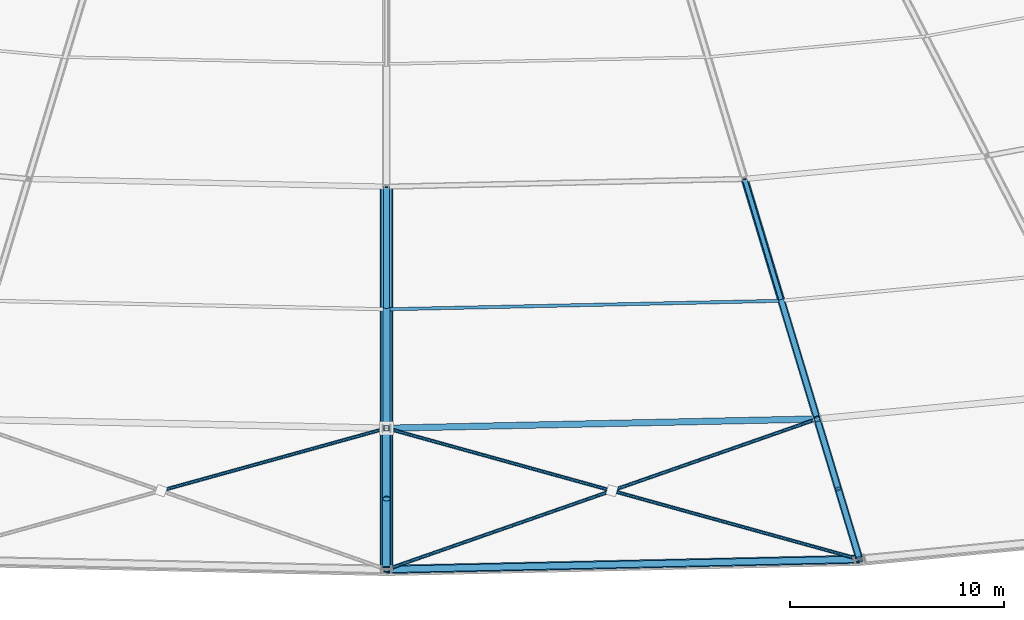
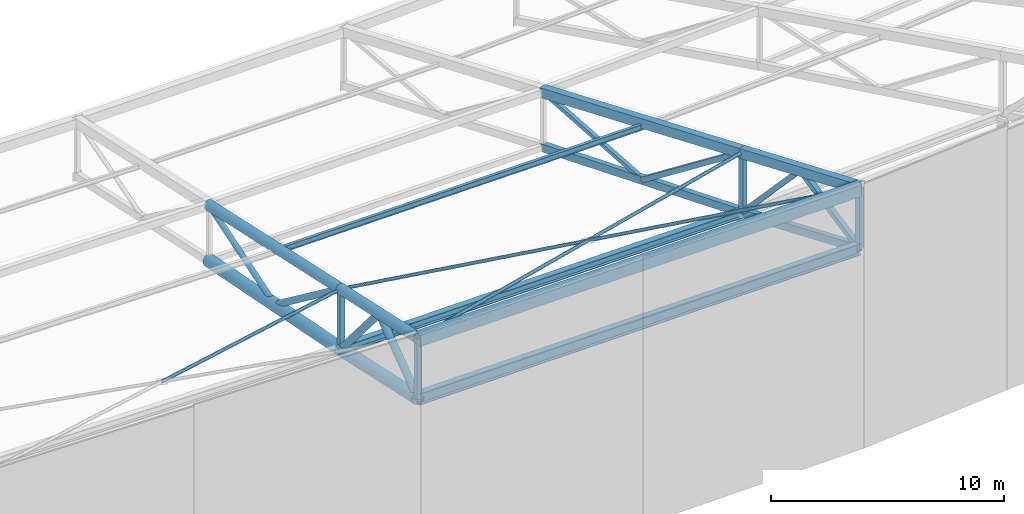
# One storey, part 33 of 143: 17 members, 11 beams.
"""IFC4 building model written with IfcOpenShell, lengths in metres."""

from ifc_helpers import new_model, si_unit, direction, frame, origin, origin_2d, place, context, subcontext, project, spatial, hollow_rectangle, hollow_circle, i_section, extrude, material, material_profile, profile_set, type_object, element, save


model = new_model("IFC4")

# Units and contexts
model_context = context("Model", 3, precision=1e-05, world=origin(), true_north=direction((0.0, 1.0)))
body_context = subcontext(model_context, "Body", "Model", "MODEL_VIEW")
ifc_project = project(units=[si_unit("LENGTHUNIT", "METRE"), si_unit("AREAUNIT", "SQUARE_METRE"), si_unit("VOLUMEUNIT", "CUBIC_METRE"), si_unit("PLANEANGLEUNIT", "RADIAN"), si_unit("MASSUNIT", "GRAM", prefix="KILO")], contexts=[model_context])

# Site, building, storey
site_placement = place(None, origin())
site = spatial("IfcSite", under=ifc_project, at=site_placement, CompositionType="ELEMENT")
building_placement = place(site_placement, origin())
building = spatial("IfcBuilding", under=site, at=building_placement, Name="Mphavela Belvedere Stadium", CompositionType="ELEMENT")
storey_placement = place(building_placement, frame((0.0, 0.0, 28.800048828125)))
storey = spatial("IfcBuildingStorey", under=building, at=storey_placement, Name="RF", CompositionType="ELEMENT", Elevation=28.800048828125)

# Beams
ifc_material_1 = material(Name="Steel S355", Category="steel")
ifc_material_profile_1 = material_profile(ifc_material_1, hollow_rectangle(XDim=0.39990234375, YDim=0.60009765625, WallThickness=0.02001953125, at=origin_2d()), Name="RHS 600x400x20")
ifc_profile_set_1 = profile_set([ifc_material_profile_1], Name="Steel S355")
beam_type_1 = type_object("IfcBeamType", Name="BM-RING-OUT", PredefinedType="BEAM", material=ifc_profile_set_1)
beam_1_placement = place(storey_placement, frame((115.0, 13.330078125, 13.60595703125), z_axis=(0.999741024299, 0.021522118296, -0.007394779107), x_axis=(-0.021522706765, 0.999768359718, 0.0)))
element("IfcBeam", 1, at=beam_1_placement, inside=storey, type_object=beam_type_1, Name="Perimeter compression ring beam RB-OUT-37", PredefinedType="BEAM", context=body_context, shape_type="SweptSolid", body=[
    extrude(hollow_rectangle(XDim=0.39990234375, YDim=0.60009765625, WallThickness=0.02001953125, at=origin_2d()), origin(), (0.0, 0.0, 1.0), 22.1201171875),
])
ifc_material_2 = material(Name="Steel S355", Category="steel")
ifc_material_profile_2 = material_profile(ifc_material_2, i_section(OverallWidth=0.300048828125, OverallDepth=0.39990234375, WebThickness=0.013427734375, FlangeThickness=0.02392578125, at=origin_2d()), Name="HEB 400")
ifc_profile_set_2 = profile_set([ifc_material_profile_2], Name="Steel S355")
beam_type_2 = type_object("IfcBeamType", Name="BM-STEEL-HEB400", PredefinedType="BEAM", material=ifc_profile_set_2)
beam_2_placement = place(storey_placement, frame((115.0, 19.9326171875, 9.071044921875), z_axis=(0.999741088548, 0.021518971093, -0.007395252037), x_axis=(-0.02151955955, 0.999768427465, 0.0)))
element("IfcBeam", 2, at=beam_2_placement, inside=storey, type_object=beam_type_2, Name="Roof bottom-chord tie girder R3-37", PredefinedType="BEAM", context=body_context, shape_type="SweptSolid", body=[
    extrude(i_section(OverallWidth=0.300048828125, OverallDepth=0.39990234375, WebThickness=0.013427734375, FlangeThickness=0.02392578125, at=origin_2d()), origin(), (0.0, 0.0, 1.0), 20.137939453125),
])
ifc_material_3 = material(Name="Steel S355", Category="steel")
ifc_material_profile_3 = material_profile(ifc_material_3, i_section(OverallWidth=0.300048828125, OverallDepth=0.60009765625, WebThickness=0.015380859375, FlangeThickness=0.030029296875, at=origin_2d()), Name="HEB 600")
ifc_profile_set_3 = profile_set([ifc_material_profile_3], Name="Steel S355")
beam_type_3 = type_object("IfcBeamType", Name="BM-STEEL-HEB600", PredefinedType="BEAM", material=ifc_profile_set_3)
beam_3_placement = place(storey_placement, frame((115.0, 13.330078125, 10.510986328125), z_axis=(0.999741024299, 0.021522118296, -0.007394779107), x_axis=(-0.021522706765, 0.999768359718, 0.0)))
element("IfcBeam", 3, at=beam_3_placement, inside=storey, type_object=beam_type_3, Name="Roof bottom-chord tie girder R4-37", PredefinedType="BEAM", context=body_context, shape_type="SweptSolid", body=[
    extrude(i_section(OverallWidth=0.300048828125, OverallDepth=0.60009765625, WebThickness=0.015380859375, FlangeThickness=0.030029296875, at=origin_2d()), origin(), (0.0, 0.0, 1.0), 22.1201171875),
])
ifc_material_4 = material(Name="Steel S355", Category="steel")
ifc_material_profile_4 = material_profile(ifc_material_4, hollow_circle(Radius=0.304931640625, WallThickness=0.02490234375, at=origin_2d()), Name="CHS 610x25")
ifc_profile_set_4 = profile_set([ifc_material_profile_4], Name="Steel S355")
beam_type_4 = type_object("IfcBeamType", Name="BM-TRUSS-BC1", PredefinedType="BEAM", material=ifc_profile_set_4)
beam_4_placement = place(storey_placement, frame((115.0, 13.330078125, 10.510986328125), z_axis=(0.0, 0.977034636497, -0.213080546001), x_axis=(-1.0, 0.0, 0.0)))
element("IfcBeam", 4, at=beam_4_placement, inside=storey, type_object=beam_type_4, Name="Radial roof truss RT-37 bottom chord 1", PredefinedType="BEAM", context=body_context, shape_type="SweptSolid", body=[
    extrude(hollow_circle(Radius=0.304931640625, WallThickness=0.02490234375, at=origin_2d()), origin(), (0.0, 0.0, 1.0), 6.7578125),
])
beam_5_placement = place(storey_placement, frame((115.0, 19.9326171875, 9.071044921875), z_axis=(0.0, 0.98133934547, -0.192283876161), x_axis=(-1.0, 0.0, 0.0)))
element("IfcBeam", 5, at=beam_5_placement, inside=storey, type_object=beam_type_4, Name="Radial roof truss RT-37 bottom chord 2", PredefinedType="BEAM", context=body_context, shape_type="SweptSolid", body=[
    extrude(hollow_circle(Radius=0.304931640625, WallThickness=0.02490234375, at=origin_2d()), origin(), (0.0, 0.0, 1.0), 11.508544921875),
])
ifc_material_5 = material(Name="Steel S355", Category="steel")
ifc_material_profile_5 = material_profile(ifc_material_5, hollow_rectangle(XDim=0.25, YDim=0.39990234375, WallThickness=0.01611328125, at=origin_2d()), Name="RHS 400x250x16")
ifc_profile_set_5 = profile_set([ifc_material_profile_5], Name="Steel S355")
beam_type_5 = type_object("IfcBeamType", Name="BM-TRUSS-BC2", PredefinedType="BEAM", material=ifc_profile_set_5)
beam_6_placement = place(storey_placement, frame((137.114501953125, 13.80615234375, 10.347412109375), z_axis=(-0.283128197914, 0.937214679037, -0.203634645734), x_axis=(-0.95727245631, -0.28918755919, 0.0)))
element("IfcBeam", 6, at=beam_6_placement, inside=storey, type_object=beam_type_5, Name="Radial roof truss RT-38 bottom chord 1", PredefinedType="BEAM", context=body_context, shape_type="SweptSolid", body=[
    extrude(hollow_rectangle(XDim=0.25, YDim=0.39990234375, WallThickness=0.01611328125, at=origin_2d()), origin(), (0.0, 0.0, 1.0), 6.999267578125),
])
beam_7_placement = place(storey_placement, frame((135.1328125, 20.365966796875, 8.922119140625), z_axis=(-0.284329201853, 0.941007425446, -0.183471878578), x_axis=(-0.957256900703, -0.289239046564, 0.0)))
element("IfcBeam", 7, at=beam_7_placement, inside=storey, type_object=beam_type_5, Name="Radial roof truss RT-38 bottom chord 2", PredefinedType="BEAM", context=body_context, shape_type="SweptSolid", body=[
    extrude(hollow_rectangle(XDim=0.25, YDim=0.39990234375, WallThickness=0.01611328125, at=origin_2d()), origin(), (0.0, 0.0, 1.0), 11.924072265625),
])
ifc_material_6 = material(Name="Steel S355", Category="steel")
ifc_material_profile_6 = material_profile(ifc_material_6, hollow_circle(Radius=0.25390625, WallThickness=0.02490234375, at=origin_2d()), Name="CHS 508x25")
ifc_profile_set_6 = profile_set([ifc_material_profile_6], Name="Steel S355")
beam_type_6 = type_object("IfcBeamType", Name="BM-TRUSS-TC1", PredefinedType="BEAM", material=ifc_profile_set_6)
beam_8_placement = place(storey_placement, frame((115.0, 13.330078125, 13.660888671875), z_axis=(0.0, 0.977034636497, -0.213080546001), x_axis=(-1.0, 0.0, 0.0)))
element("IfcBeam", 8, at=beam_8_placement, inside=storey, type_object=beam_type_6, Name="Radial roof truss RT-37 top chord 1", PredefinedType="BEAM", context=body_context, shape_type="SweptSolid", body=[
    extrude(hollow_circle(Radius=0.25390625, WallThickness=0.02490234375, at=origin_2d()), origin(), (0.0, 0.0, 1.0), 6.7578125),
])
beam_9_placement = place(storey_placement, frame((115.0, 19.9326171875, 12.220947265625), z_axis=(0.0, 0.977037190739, -0.213068833744), x_axis=(-1.0, 0.0, 0.0)))
element("IfcBeam", 9, at=beam_9_placement, inside=storey, type_object=beam_type_6, Name="Radial roof truss RT-37 top chord 2", PredefinedType="BEAM", context=body_context, shape_type="SweptSolid", body=[
    extrude(hollow_circle(Radius=0.25390625, WallThickness=0.02490234375, at=origin_2d()), origin(), (0.0, 0.0, 1.0), 11.55908203125),
])
ifc_material_7 = material(Name="Steel S355", Category="steel")
ifc_material_profile_7 = material_profile(ifc_material_7, hollow_rectangle(XDim=0.35009765625, YDim=0.5, WallThickness=0.02001953125, at=origin_2d()), Name="RHS 500x350x20")
ifc_profile_set_7 = profile_set([ifc_material_profile_7], Name="Steel S355")
beam_type_7 = type_object("IfcBeamType", Name="BM-TRUSS-TC2", PredefinedType="BEAM", material=ifc_profile_set_7)
beam_10_placement = place(storey_placement, frame((137.114501953125, 13.80615234375, 13.497314453125), z_axis=(-0.283130208811, 0.937221335535, -0.203601210894), x_axis=(-0.95727245631, -0.28918755919, 0.0)))
element("IfcBeam", 10, at=beam_10_placement, inside=storey, type_object=beam_type_7, Name="Radial roof truss RT-38 top chord 1", PredefinedType="BEAM", context=body_context, shape_type="SweptSolid", body=[
    extrude(hollow_rectangle(XDim=0.35009765625, YDim=0.5, WallThickness=0.02001953125, at=origin_2d()), origin(), (0.0, 0.0, 1.0), 6.999267578125),
])
beam_11_placement = place(storey_placement, frame((135.1328125, 20.365966796875, 12.072265625), z_axis=(-0.283178825556, 0.937200174447, -0.203631003961), x_axis=(-0.957256900703, -0.289239046564, 0.0)))
element("IfcBeam", 11, at=beam_11_placement, inside=storey, type_object=beam_type_7, Name="Radial roof truss RT-38 top chord 2", PredefinedType="BEAM", context=body_context, shape_type="SweptSolid", body=[
    extrude(hollow_rectangle(XDim=0.35009765625, YDim=0.5, WallThickness=0.02001953125, at=origin_2d()), origin(), (0.0, 0.0, 1.0), 11.97265625),
])

# Members
ifc_material_8 = material(Name="Steel S355", Category="steel")
ifc_material_profile_8 = material_profile(ifc_material_8, hollow_circle(Radius=0.136474609375, WallThickness=0.012451171875, at=origin_2d()), Name="CHS 273x12.5")
ifc_profile_set_8 = profile_set([ifc_material_profile_8], Name="Steel S355")
member_type_1 = type_object("IfcMemberType", Name="MEM-DIAG-273", PredefinedType="BRACE", material=ifc_profile_set_8)
member_1_placement = place(storey_placement, frame((115.0, 25.579345703125, 7.964599609375), z_axis=(0.0, 0.953086911655, 0.302696777043), x_axis=(-1.0, 0.0, 0.0)))
element("IfcMember", 12, at=member_1_placement, inside=storey, type_object=member_type_1, Name="Radial roof truss RT-37 web diagonal D4", PredefinedType="BRACE", context=body_context, shape_type="SweptSolid", body=[
    extrude(hollow_circle(Radius=0.136474609375, WallThickness=0.012451171875, at=origin_2d()), origin(), (0.0, 0.0, 1.0), 5.925048828125),
])
ifc_material_9 = material(Name="Steel S355", Category="steel")
ifc_material_profile_9 = material_profile(ifc_material_9, hollow_circle(Radius=0.161865234375, WallThickness=0.01611328125, at=origin_2d()), Name="CHS 323.9x16")
ifc_profile_set_9 = profile_set([ifc_material_profile_9], Name="Steel S355")
member_type_2 = type_object("IfcMemberType", Name="MEM-DIAG-324", PredefinedType="BRACE", material=ifc_profile_set_9)
member_2_placement = place(storey_placement, frame((115.0, 19.9326171875, 12.220947265625), z_axis=(0.0, 0.798551728269, -0.601926189228), x_axis=(-1.0, 0.0, 0.0)))
element("IfcMember", 13, at=member_2_placement, inside=storey, type_object=member_type_2, Name="Radial roof truss RT-37 web diagonal D3", PredefinedType="BRACE", context=body_context, shape_type="SweptSolid", body=[
    extrude(hollow_circle(Radius=0.161865234375, WallThickness=0.01611328125, at=origin_2d()), origin(), (0.0, 0.0, 1.0), 7.0712890625),
])
ifc_material_10 = material(Name="Steel S355", Category="steel")
ifc_material_profile_10 = material_profile(ifc_material_10, hollow_circle(Radius=0.177734375, WallThickness=0.01611328125, at=origin_2d()), Name="CHS 355.6x16")
ifc_profile_set_10 = profile_set([ifc_material_profile_10], Name="Steel S355")
member_type_3 = type_object("IfcMemberType", Name="MEM-DIAG-355", PredefinedType="BRACE", material=ifc_profile_set_10)
member_3_placement = place(storey_placement, frame((115.0, 13.330078125, 10.510986328125), z_axis=(0.0, 0.805328195789, 0.592829230948), x_axis=(-1.0, 0.0, 0.0)))
element("IfcMember", 14, at=member_3_placement, inside=storey, type_object=member_type_3, Name="Radial roof truss RT-37 web diagonal D1", PredefinedType="BRACE", context=body_context, shape_type="SweptSolid", body=[
    extrude(hollow_circle(Radius=0.177734375, WallThickness=0.01611328125, at=origin_2d()), origin(), (0.0, 0.0, 1.0), 4.099365234375),
])
member_4_placement = place(storey_placement, frame((115.0, 16.63134765625, 12.941162109375), z_axis=(0.0, 0.648979290654, -0.76080607273), x_axis=(-1.0, 0.0, 0.0)))
element("IfcMember", 15, at=member_4_placement, inside=storey, type_object=member_type_3, Name="Radial roof truss RT-37 web diagonal D2", PredefinedType="BRACE", context=body_context, shape_type="SweptSolid", body=[
    extrude(hollow_circle(Radius=0.177734375, WallThickness=0.01611328125, at=origin_2d()), origin(), (0.0, 0.0, 1.0), 5.0869140625),
])
ifc_material_11 = material(Name="Steel S355", Category="steel")
ifc_material_profile_11 = material_profile(ifc_material_11, hollow_rectangle(XDim=0.199951171875, YDim=0.199951171875, WallThickness=0.010009765625, at=origin_2d()), Name="SHS 200x200x10")
ifc_profile_set_11 = profile_set([ifc_material_profile_11], Name="Steel S355")
member_type_4 = type_object("IfcMemberType", Name="MEM-POST-SHS200", PredefinedType="POST", material=ifc_profile_set_11)
member_5_placement = place(storey_placement, frame((133.4375, 25.976318359375, 7.828369140625), z_axis=(-0.276396190339, 0.91481844361, 0.294469626953), x_axis=(-0.957262667334, -0.289219960805, 0.0)))
element("IfcMember", 16, at=member_5_placement, inside=storey, type_object=member_type_4, Name="Radial roof truss RT-38 web diagonal D4", PredefinedType="POST", context=body_context, shape_type="SweptSolid", body=[
    extrude(hollow_rectangle(XDim=0.199951171875, YDim=0.199951171875, WallThickness=0.010009765625, at=origin_2d()), origin(), (0.0, 0.0, 1.0), 6.1328125),
])
ifc_material_12 = material(Name="Steel S355", Category="steel")
ifc_material_profile_12 = material_profile(ifc_material_12, hollow_rectangle(XDim=0.25, YDim=0.25, WallThickness=0.012451171875, at=origin_2d()), Name="SHS 250x250x12.5")
ifc_profile_set_12 = profile_set([ifc_material_profile_12], Name="Steel S355")
member_type_5 = type_object("IfcMemberType", Name="MEM-POST-SHS250", PredefinedType="POST", material=ifc_profile_set_12)
for number, where, z_axis, x_axis, name in (
    (17, (115.0, 13.330078125, 10.510986328125), (0.0, 0.0, 1.0), (0.0, -1.0, 0.0), "Radial roof truss RT-37 post P1"),
    (18, (115.0, 19.9326171875, 9.071044921875), (0.0, 0.0, 1.0), (0.0, -1.0, 0.0), "Radial roof truss RT-37 post P2"),
    (19, (137.114501953125, 13.80615234375, 10.347412109375), (0.0, 0.0, 1.0), (0.289198876314, -0.957269037387, 0.0), "Radial roof truss RT-38 post P1"),
):
    element("IfcMember", number, at=place(storey_placement, frame(where, z_axis=z_axis, x_axis=x_axis)), inside=storey, type_object=member_type_5, Name=name, PredefinedType="POST", context=body_context, shape_type="SweptSolid", body=[
        extrude(hollow_rectangle(XDim=0.25, YDim=0.25, WallThickness=0.012451171875, at=origin_2d()), origin(), (0.0, 0.0, 1.0), 3.14990234375),
    ])
member_6_placement = place(storey_placement, frame((135.1328125, 20.365966796875, 8.922119140625), z_axis=(0.0, 0.0, 1.0), x_axis=(0.289198876314, -0.957269037387, 0.0)))
element("IfcMember", 20, at=member_6_placement, inside=storey, type_object=member_type_5, Name="Radial roof truss RT-38 post P2", PredefinedType="POST", context=body_context, shape_type="SweptSolid", body=[
    extrude(hollow_rectangle(XDim=0.25, YDim=0.25, WallThickness=0.012451171875, at=origin_2d()), origin(), (0.0, 0.0, 1.0), 3.150146484375),
])
member_7_placement = place(storey_placement, frame((137.114501953125, 13.80615234375, 10.347412109375), z_axis=(-0.235671930257, 0.780057251293, 0.579628696662), x_axis=(-0.957265573066, -0.289210343214, 0.0)))
element("IfcMember", 21, at=member_7_placement, inside=storey, type_object=member_type_5, Name="Radial roof truss RT-38 web diagonal D1", PredefinedType="POST", context=body_context, shape_type="SweptSolid", body=[
    extrude(hollow_rectangle(XDim=0.25, YDim=0.25, WallThickness=0.012451171875, at=origin_2d()), origin(), (0.0, 0.0, 1.0), 4.204833984375),
])
member_8_placement = place(storey_placement, frame((136.12353515625, 17.086181640625, 12.78466796875), z_axis=(-0.191884501069, 0.635233215219, -0.748103669642), x_axis=(-0.957279339623, -0.289164772978, 0.0)))
element("IfcMember", 22, at=member_8_placement, inside=storey, type_object=member_type_5, Name="Radial roof truss RT-38 web diagonal D2", PredefinedType="POST", context=body_context, shape_type="SweptSolid", body=[
    extrude(hollow_rectangle(XDim=0.25, YDim=0.25, WallThickness=0.012451171875, at=origin_2d()), origin(), (0.0, 0.0, 1.0), 5.1630859375),
])
member_9_placement = place(storey_placement, frame((135.1328125, 20.365966796875, 12.072265625), z_axis=(-0.234286186581, 0.775330726907, -0.586491471968), x_axis=(-0.95725113376, -0.289258131977, 0.0)))
element("IfcMember", 23, at=member_9_placement, inside=storey, type_object=member_type_5, Name="Radial roof truss RT-38 web diagonal D3", PredefinedType="POST", context=body_context, shape_type="SweptSolid", body=[
    extrude(hollow_rectangle(XDim=0.25, YDim=0.25, WallThickness=0.012451171875, at=origin_2d()), origin(), (0.0, 0.0, 1.0), 7.236083984375),
])
ifc_material_13 = material(Name="Steel S355", Category="steel")
ifc_material_profile_13 = material_profile(ifc_material_13, i_section(OverallWidth=0.14990234375, OverallDepth=0.300048828125, WebThickness=0.007080078125, FlangeThickness=0.0107421875, at=origin_2d()), Name="IPE 300")
ifc_profile_set_13 = profile_set([ifc_material_profile_13], Name="Steel S355")
member_type_6 = type_object("IfcMemberType", Name="MEM-PURLIN-IPE300", PredefinedType="PURLIN", material=ifc_profile_set_13)
member_10_placement = place(storey_placement, frame((115.0, 25.492431640625, 10.818603515625), z_axis=(0.999740701421, 0.021534340945, -0.007402842805), x_axis=(-0.021534931032, 0.999768096483, 0.0)))
element("IfcMember", 24, at=member_10_placement, inside=storey, type_object=member_type_6, Name="Saddle canopy steel purlin 37-2", PredefinedType="PURLIN", context=body_context, shape_type="SweptSolid", body=[
    extrude(i_section(OverallWidth=0.14990234375, OverallDepth=0.300048828125, WebThickness=0.007080078125, FlangeThickness=0.0107421875, at=origin_2d()), origin(), (0.0, 0.0, 1.0), 18.468505859375),
])
ifc_material_14 = material(Name="Steel S355", Category="steel")
ifc_material_profile_14 = material_profile(ifc_material_14, hollow_circle(Radius=0.084228515625, WallThickness=0.010009765625, at=origin_2d()), Name="CHS 168.3x10")
ifc_profile_set_14 = profile_set([ifc_material_profile_14], Name="Steel S355")
member_type_7 = type_object("IfcMemberType", Name="MEM-ROOF-XBRACE", PredefinedType="BRACE", material=ifc_profile_set_14)
member_11_placement = place(storey_placement, frame((104.46142578125, 17.012939453125, 12.829345703125), z_axis=(0.962211370213, 0.266577532697, -0.055549060246), x_axis=(-0.266989775878, 0.963699361615, 0.0)))
element("IfcMember", 25, at=member_11_placement, inside=storey, type_object=member_type_7, Name="Roof diaphragm split X-brace B2 36", PredefinedType="BRACE", context=body_context, shape_type="SweptSolid", body=[
    extrude(hollow_circle(Radius=0.084228515625, WallThickness=0.010009765625, at=origin_2d()), origin(), (0.0, 0.0, 1.0), 10.952392578125),
])
member_12_placement = place(storey_placement, frame((115.0, 19.9326171875, 12.220947265625), z_axis=(0.962215299146, -0.266566175211, 0.055535505061), x_axis=(0.266978199203, 0.96370256882, 0.0)))
element("IfcMember", 26, at=member_12_placement, inside=storey, type_object=member_type_7, Name="Roof diaphragm continuous X-brace A 37", PredefinedType="BRACE", context=body_context, shape_type="SweptSolid", body=[
    extrude(hollow_circle(Radius=0.084228515625, WallThickness=0.010009765625, at=origin_2d()), origin(), (0.0, 0.0, 1.0), 22.98291015625),
])
member_13_placement = place(storey_placement, frame((115.0, 13.330078125, 13.660888671875), z_axis=(0.941407748182, 0.328988923721, -0.074281489837), x_axis=(-0.329900334784, 0.944015767405, 0.0)))
element("IfcMember", 27, at=member_13_placement, inside=storey, type_object=member_type_7, Name="Roof diaphragm split X-brace B1 37", PredefinedType="BRACE", context=body_context, shape_type="SweptSolid", body=[
    extrude(hollow_circle(Radius=0.084228515625, WallThickness=0.010009765625, at=origin_2d()), origin(), (0.0, 0.0, 1.0), 11.194580078125),
])
member_14_placement = place(storey_placement, frame((125.53857421875, 17.012939453125, 12.829345703125), z_axis=(0.941401990804, 0.329004400776, -0.074285907005), x_axis=(-0.329915963571, 0.944010305548, 0.0)))
element("IfcMember", 28, at=member_14_placement, inside=storey, type_object=member_type_7, Name="Roof diaphragm split X-brace B2 37", PredefinedType="BRACE", context=body_context, shape_type="SweptSolid", body=[
    extrude(hollow_circle(Radius=0.084228515625, WallThickness=0.010009765625, at=origin_2d()), origin(), (0.0, 0.0, 1.0), 10.19140625),
])

save(model, "model.ifc")
